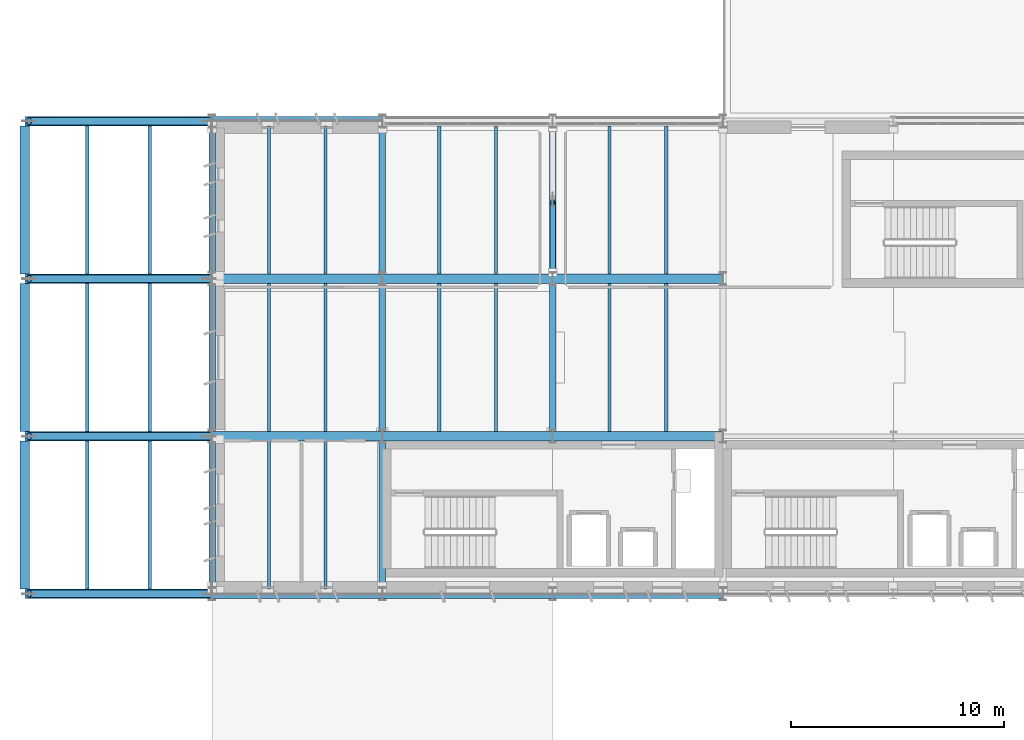
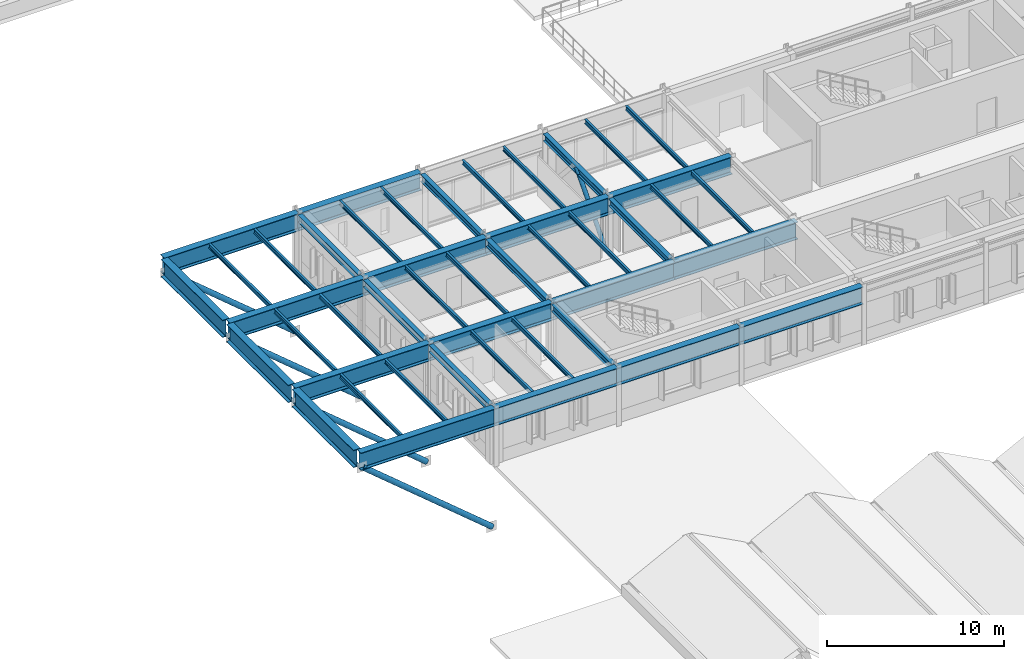
# One storey, part 16 of 63: 45 beams, 5 members.
"""IFC4 building model written with IfcOpenShell, lengths in metres."""

from ifc_helpers import new_model, si_unit, direction, frame, origin, origin_2d, place, context, subcontext, project, spatial, hollow_circle, i_section, extrude, material, material_profile, profile_set, type_object, element, save


model = new_model("IFC4")

# Units and contexts
model_context = context("Model", 3, precision=1e-05, world=origin(), true_north=direction((0.0, 1.0)))
body_context = subcontext(model_context, "Body", "Model", "MODEL_VIEW")
ifc_project = project(units=[si_unit("LENGTHUNIT", "METRE"), si_unit("AREAUNIT", "SQUARE_METRE"), si_unit("VOLUMEUNIT", "CUBIC_METRE"), si_unit("PLANEANGLEUNIT", "RADIAN"), si_unit("MASSUNIT", "GRAM", prefix="KILO")], contexts=[model_context])

# Site, building, storey
site_placement = place(None, origin())
site = spatial("IfcSite", under=ifc_project, at=site_placement, CompositionType="ELEMENT")
building_placement = place(site_placement, origin())
building = spatial("IfcBuilding", under=site, at=building_placement, Name="Valkorina Park Police Headquarters", CompositionType="ELEMENT")
storey_placement = place(building_placement, frame((0.0, 0.0, 9.89990234375)))
storey = spatial("IfcBuildingStorey", under=building, at=storey_placement, Name="L03", CompositionType="ELEMENT", Elevation=9.89990234375)

# Beams
ifc_material = material(Name="Steel S355", Category="steel")
ifc_material_profile_1 = material_profile(ifc_material, i_section(OverallWidth=0.300048828125, OverallDepth=0.489990234375, WebThickness=0.011962890625, FlangeThickness=0.02294921875, FilletRadius=0.027099609375, at=origin_2d()), Name="HEA 500")
ifc_profile_set_1 = profile_set([ifc_material_profile_1], Name="Steel S355")
beam_type_1 = type_object("IfcBeamType", Name="BM-S355-HEA500-BM", PredefinedType="BEAM", material=ifc_profile_set_1)
for number, where, z_axis, x_axis, name in (
    (1, (8.800048828125, 37.300048828125, 3.710205078125), (0.0, 1.0, 0.0), (-1.0, 0.0, 0.0), "L03 Framing Beam 1965"),
    (2, (8.800048828125, 44.699951171875, 3.710205078125), (0.0, 1.0, 0.0), (-1.0, 0.0, 0.0), "L03 Framing Beam 1968"),
):
    element("IfcBeam", number, at=place(storey_placement, frame(where, z_axis=z_axis, x_axis=x_axis)), inside=storey, type_object=beam_type_1, Name=name, PredefinedType="BEAM", context=body_context, shape_type="SweptSolid", body=[
        extrude(i_section(OverallWidth=0.300048828125, OverallDepth=0.489990234375, WebThickness=0.011962890625, FlangeThickness=0.02294921875, FilletRadius=0.027099609375, at=origin_2d()), origin(), (0.0, 0.0, 1.0), 6.800048828125),
    ])
beam_1_placement = place(storey_placement, frame((8.800048828125, 52.10009765625, 3.710205078125), z_axis=(0.0, 1.0, 0.0), x_axis=(-1.0, 0.0, 0.0)))
element("IfcBeam", 3, at=beam_1_placement, inside=storey, type_object=beam_type_1, Name="L03 Framing Beam 1971", PredefinedType="BEAM", context=body_context, shape_type="SweptSolid", body=[
    extrude(i_section(OverallWidth=0.300048828125, OverallDepth=0.489990234375, WebThickness=0.011962890625, FlangeThickness=0.02294921875, FilletRadius=0.027099609375, at=origin_2d()), origin(), (0.0, 0.0, 1.0), 6.7998046875),
])
for number, where, z_axis, x_axis, name in (
    (4, (16.800048828125, 37.300048828125, 3.710205078125), (0.0, 1.0, 0.0), (-1.0, 0.0, 0.0), "L03 Framing Beam 1974"),
    (5, (16.800048828125, 44.699951171875, 3.710205078125), (0.0, 1.0, 0.0), (-1.0, 0.0, 0.0), "L03 Framing Beam 1975"),
):
    element("IfcBeam", number, at=place(storey_placement, frame(where, z_axis=z_axis, x_axis=x_axis)), inside=storey, type_object=beam_type_1, Name=name, PredefinedType="BEAM", context=body_context, shape_type="SweptSolid", body=[
        extrude(i_section(OverallWidth=0.300048828125, OverallDepth=0.489990234375, WebThickness=0.011962890625, FlangeThickness=0.02294921875, FilletRadius=0.027099609375, at=origin_2d()), origin(), (0.0, 0.0, 1.0), 6.800048828125),
    ])
beam_2_placement = place(storey_placement, frame((16.800048828125, 52.10009765625, 3.710205078125), z_axis=(0.0, 1.0, 0.0), x_axis=(-1.0, 0.0, 0.0)))
element("IfcBeam", 6, at=beam_2_placement, inside=storey, type_object=beam_type_1, Name="L03 Framing Beam 1978", PredefinedType="BEAM", context=body_context, shape_type="SweptSolid", body=[
    extrude(i_section(OverallWidth=0.300048828125, OverallDepth=0.489990234375, WebThickness=0.011962890625, FlangeThickness=0.02294921875, FilletRadius=0.027099609375, at=origin_2d()), origin(), (0.0, 0.0, 1.0), 6.7998046875),
])
beam_3_placement = place(storey_placement, frame((24.800048828125, 44.699951171875, 3.710205078125), z_axis=(0.0, 1.0, 0.0), x_axis=(-1.0, 0.0, 0.0)))
element("IfcBeam", 7, at=beam_3_placement, inside=storey, type_object=beam_type_1, Name="L03 Framing Beam 1981", PredefinedType="BEAM", context=body_context, shape_type="SweptSolid", body=[
    extrude(i_section(OverallWidth=0.300048828125, OverallDepth=0.489990234375, WebThickness=0.011962890625, FlangeThickness=0.02294921875, FilletRadius=0.027099609375, at=origin_2d()), origin(), (0.0, 0.0, 1.0), 6.800048828125),
])
beam_4_placement = place(storey_placement, frame((24.800048828125, 52.10009765625, 3.710205078125), z_axis=(0.0, 1.0, 0.0), x_axis=(-1.0, 0.0, 0.0)))
element("IfcBeam", 8, at=beam_4_placement, inside=storey, type_object=beam_type_1, Name="L03 Framing Beam 1984", PredefinedType="BEAM", context=body_context, shape_type="SweptSolid", body=[
    extrude(i_section(OverallWidth=0.300048828125, OverallDepth=0.489990234375, WebThickness=0.011962890625, FlangeThickness=0.02294921875, FilletRadius=0.027099609375, at=origin_2d()), origin(), (0.0, 0.0, 1.0), 6.7998046875),
])
ifc_material_profile_2 = material_profile(ifc_material, i_section(OverallWidth=0.14990234375, OverallDepth=0.300048828125, WebThickness=0.007080078125, FlangeThickness=0.0107421875, FilletRadius=0.014892578125, at=origin_2d()), Name="IPE 300")
ifc_profile_set_2 = profile_set([ifc_material_profile_2], Name="Steel S355")
beam_type_2 = type_object("IfcBeamType", Name="BM-S355-IPE300-JST", PredefinedType="JOIST", material=ifc_profile_set_2)
for number, where, z_axis, x_axis, name in (
    (9, (2.933349609375, 37.22509765625, 3.80517578125), (0.0, 1.0, 0.0), (-1.0, 0.0, 0.0), "L03 Framing Beam 1957"),
    (10, (5.86669921875, 37.22509765625, 3.80517578125), (0.0, 1.0, 0.0), (-1.0, 0.0, 0.0), "L03 Framing Beam 1958"),
    (11, (2.933349609375, 44.625, 3.80517578125), (0.0, 1.0, 0.0), (-1.0, 0.0, 0.0), "L03 Framing Beam 1960"),
    (12, (5.86669921875, 44.625, 3.80517578125), (0.0, 1.0, 0.0), (-1.0, 0.0, 0.0), "L03 Framing Beam 1961"),
):
    element("IfcBeam", number, at=place(storey_placement, frame(where, z_axis=z_axis, x_axis=x_axis)), inside=storey, type_object=beam_type_2, Name=name, PredefinedType="JOIST", context=body_context, shape_type="SweptSolid", body=[
        extrude(i_section(OverallWidth=0.14990234375, OverallDepth=0.300048828125, WebThickness=0.007080078125, FlangeThickness=0.0107421875, FilletRadius=0.014892578125, at=origin_2d()), origin(), (0.0, 0.0, 1.0), 6.949951171875),
    ])
for number, where, z_axis, x_axis, name in (
    (13, (2.933349609375, 52.02490234375, 3.80517578125), (0.0, 1.0, 0.0), (-1.0, 0.0, 0.0), "L03 Framing Beam 1963"),
    (14, (5.86669921875, 52.02490234375, 3.80517578125), (0.0, 1.0, 0.0), (-1.0, 0.0, 0.0), "L03 Framing Beam 1964"),
):
    element("IfcBeam", number, at=place(storey_placement, frame(where, z_axis=z_axis, x_axis=x_axis)), inside=storey, type_object=beam_type_2, Name=name, PredefinedType="JOIST", context=body_context, shape_type="SweptSolid", body=[
        extrude(i_section(OverallWidth=0.14990234375, OverallDepth=0.300048828125, WebThickness=0.007080078125, FlangeThickness=0.0107421875, FilletRadius=0.014892578125, at=origin_2d()), origin(), (0.0, 0.0, 1.0), 6.9501953125),
    ])
for number, where, z_axis, x_axis, name in (
    (15, (11.466796875, 37.22509765625, 3.80517578125), (0.0, 1.0, 0.0), (-1.0, 0.0, 0.0), "L03 Framing Beam 1966"),
    (16, (14.13330078125, 37.22509765625, 3.80517578125), (0.0, 1.0, 0.0), (-1.0, 0.0, 0.0), "L03 Framing Beam 1967"),
    (17, (11.466796875, 44.625, 3.80517578125), (0.0, 1.0, 0.0), (-1.0, 0.0, 0.0), "L03 Framing Beam 1969"),
    (18, (14.13330078125, 44.625, 3.80517578125), (0.0, 1.0, 0.0), (-1.0, 0.0, 0.0), "L03 Framing Beam 1970"),
):
    element("IfcBeam", number, at=place(storey_placement, frame(where, z_axis=z_axis, x_axis=x_axis)), inside=storey, type_object=beam_type_2, Name=name, PredefinedType="JOIST", context=body_context, shape_type="SweptSolid", body=[
        extrude(i_section(OverallWidth=0.14990234375, OverallDepth=0.300048828125, WebThickness=0.007080078125, FlangeThickness=0.0107421875, FilletRadius=0.014892578125, at=origin_2d()), origin(), (0.0, 0.0, 1.0), 6.949951171875),
    ])
for number, where, z_axis, x_axis, name in (
    (19, (11.466796875, 52.02490234375, 3.80517578125), (0.0, 1.0, 0.0), (-1.0, 0.0, 0.0), "L03 Framing Beam 1972"),
    (20, (14.13330078125, 52.02490234375, 3.80517578125), (0.0, 1.0, 0.0), (-1.0, 0.0, 0.0), "L03 Framing Beam 1973"),
):
    element("IfcBeam", number, at=place(storey_placement, frame(where, z_axis=z_axis, x_axis=x_axis)), inside=storey, type_object=beam_type_2, Name=name, PredefinedType="JOIST", context=body_context, shape_type="SweptSolid", body=[
        extrude(i_section(OverallWidth=0.14990234375, OverallDepth=0.300048828125, WebThickness=0.007080078125, FlangeThickness=0.0107421875, FilletRadius=0.014892578125, at=origin_2d()), origin(), (0.0, 0.0, 1.0), 6.9501953125),
    ])
for number, where, z_axis, x_axis, name in (
    (21, (19.466796875, 44.625, 3.80517578125), (0.0, 1.0, 0.0), (-1.0, 0.0, 0.0), "L03 Framing Beam 1976"),
    (22, (22.13330078125, 44.625, 3.80517578125), (0.0, 1.0, 0.0), (-1.0, 0.0, 0.0), "L03 Framing Beam 1977"),
):
    element("IfcBeam", number, at=place(storey_placement, frame(where, z_axis=z_axis, x_axis=x_axis)), inside=storey, type_object=beam_type_2, Name=name, PredefinedType="JOIST", context=body_context, shape_type="SweptSolid", body=[
        extrude(i_section(OverallWidth=0.14990234375, OverallDepth=0.300048828125, WebThickness=0.007080078125, FlangeThickness=0.0107421875, FilletRadius=0.014892578125, at=origin_2d()), origin(), (0.0, 0.0, 1.0), 6.949951171875),
    ])
for number, where, z_axis, x_axis, name in (
    (23, (19.466796875, 52.02490234375, 3.80517578125), (0.0, 1.0, 0.0), (-1.0, 0.0, 0.0), "L03 Framing Beam 1979"),
    (24, (22.13330078125, 52.02490234375, 3.80517578125), (0.0, 1.0, 0.0), (-1.0, 0.0, 0.0), "L03 Framing Beam 1980"),
):
    element("IfcBeam", number, at=place(storey_placement, frame(where, z_axis=z_axis, x_axis=x_axis)), inside=storey, type_object=beam_type_2, Name=name, PredefinedType="JOIST", context=body_context, shape_type="SweptSolid", body=[
        extrude(i_section(OverallWidth=0.14990234375, OverallDepth=0.300048828125, WebThickness=0.007080078125, FlangeThickness=0.0107421875, FilletRadius=0.014892578125, at=origin_2d()), origin(), (0.0, 0.0, 1.0), 6.9501953125),
    ])
for number, where, z_axis, x_axis, name in (
    (25, (27.466796875, 44.625, 3.80517578125), (0.0, 1.0, 0.0), (-1.0, 0.0, 0.0), "L03 Framing Beam 1982"),
    (26, (30.13330078125, 44.625, 3.80517578125), (0.0, 1.0, 0.0), (-1.0, 0.0, 0.0), "L03 Framing Beam 1983"),
):
    element("IfcBeam", number, at=place(storey_placement, frame(where, z_axis=z_axis, x_axis=x_axis)), inside=storey, type_object=beam_type_2, Name=name, PredefinedType="JOIST", context=body_context, shape_type="SweptSolid", body=[
        extrude(i_section(OverallWidth=0.14990234375, OverallDepth=0.300048828125, WebThickness=0.007080078125, FlangeThickness=0.0107421875, FilletRadius=0.014892578125, at=origin_2d()), origin(), (0.0, 0.0, 1.0), 6.949951171875),
    ])
for number, where, z_axis, x_axis, name in (
    (27, (27.466796875, 52.02490234375, 3.80517578125), (0.0, 1.0, 0.0), (-1.0, 0.0, 0.0), "L03 Framing Beam 1985"),
    (28, (30.13330078125, 52.02490234375, 3.80517578125), (0.0, 1.0, 0.0), (-1.0, 0.0, 0.0), "L03 Framing Beam 1986"),
):
    element("IfcBeam", number, at=place(storey_placement, frame(where, z_axis=z_axis, x_axis=x_axis)), inside=storey, type_object=beam_type_2, Name=name, PredefinedType="JOIST", context=body_context, shape_type="SweptSolid", body=[
        extrude(i_section(OverallWidth=0.14990234375, OverallDepth=0.300048828125, WebThickness=0.007080078125, FlangeThickness=0.0107421875, FilletRadius=0.014892578125, at=origin_2d()), origin(), (0.0, 0.0, 1.0), 6.9501953125),
    ])
ifc_material_profile_3 = material_profile(ifc_material, i_section(OverallWidth=0.449951171875, OverallDepth=1.199951171875, WebThickness=0.02001953125, FlangeThickness=0.034912109375, FilletRadius=0.02001953125, at=origin_2d()), Name="PG 1200x450")
ifc_profile_set_3 = profile_set([ifc_material_profile_3], Name="Steel S355")
beam_type_3 = type_object("IfcBeamType", Name="BM-S355-PG1200-EXT", PredefinedType="SPANDREL", material=ifc_profile_set_3)
beam_5_placement = place(storey_placement, frame((0.0, 37.0, 3.35498046875), z_axis=(1.0, 0.0, 0.0), x_axis=(0.0, 1.0, 0.0)))
element("IfcBeam", 29, at=beam_5_placement, inside=storey, type_object=beam_type_3, Name="L03 Framing Beam 1852", PredefinedType="SPANDREL", context=body_context, shape_type="SweptSolid", body=[
    extrude(i_section(OverallWidth=0.449951171875, OverallDepth=1.199951171875, WebThickness=0.02001953125, FlangeThickness=0.034912109375, FilletRadius=0.02001953125, at=origin_2d()), origin(), (0.0, 0.0, 1.0), 8.792236328125),
])
for number, where, z_axis, x_axis, name in (
    (30, (8.8076171875, 37.0, 3.35498046875), (1.0, 0.0, 0.0), (0.0, 1.0, 0.0), "L03 Framing Beam 1853"),
    (31, (16.8076171875, 37.0, 3.35498046875), (1.0, 0.0, 0.0), (0.0, 1.0, 0.0), "L03 Framing Beam 1854"),
    (32, (24.8076171875, 37.0, 3.35498046875), (1.0, 0.0, 0.0), (0.0, 1.0, 0.0), "L03 Framing Beam 1855"),
):
    element("IfcBeam", number, at=place(storey_placement, frame(where, z_axis=z_axis, x_axis=x_axis)), inside=storey, type_object=beam_type_3, Name=name, PredefinedType="SPANDREL", context=body_context, shape_type="SweptSolid", body=[
        extrude(i_section(OverallWidth=0.449951171875, OverallDepth=1.199951171875, WebThickness=0.02001953125, FlangeThickness=0.034912109375, FilletRadius=0.02001953125, at=origin_2d()), origin(), (0.0, 0.0, 1.0), 7.984619140625),
    ])
beam_6_placement = place(storey_placement, frame((0.0, 59.199951171875, 3.35498046875), z_axis=(1.0, 0.0, 0.0), x_axis=(0.0, 1.0, 0.0)))
element("IfcBeam", 33, at=beam_6_placement, inside=storey, type_object=beam_type_3, Name="L03 Framing Beam 1897", PredefinedType="SPANDREL", context=body_context, shape_type="SweptSolid", body=[
    extrude(i_section(OverallWidth=0.449951171875, OverallDepth=1.199951171875, WebThickness=0.02001953125, FlangeThickness=0.034912109375, FilletRadius=0.02001953125, at=origin_2d()), origin(), (0.0, 0.0, 1.0), 8.792236328125),
])
beam_7_placement = place(storey_placement, frame((8.8076171875, 59.199951171875, 3.35498046875), z_axis=(1.0, 0.0, 0.0), x_axis=(0.0, 1.0, 0.0)))
element("IfcBeam", 34, at=beam_7_placement, inside=storey, type_object=beam_type_3, Name="L03 Framing Beam 1898", PredefinedType="SPANDREL", context=body_context, shape_type="SweptSolid", body=[
    extrude(i_section(OverallWidth=0.449951171875, OverallDepth=1.199951171875, WebThickness=0.02001953125, FlangeThickness=0.034912109375, FilletRadius=0.02001953125, at=origin_2d()), origin(), (0.0, 0.0, 1.0), 7.984619140625),
])
for number, where, z_axis, x_axis, name in (
    (35, (0.0, 37.22509765625, 3.35498046875), (0.0, 1.0, 0.0), (-1.0, 0.0, 0.0), "L03 Framing Beam 1956"),
    (36, (0.0, 44.625, 3.35498046875), (0.0, 1.0, 0.0), (-1.0, 0.0, 0.0), "L03 Framing Beam 1959"),
):
    element("IfcBeam", number, at=place(storey_placement, frame(where, z_axis=z_axis, x_axis=x_axis)), inside=storey, type_object=beam_type_3, Name=name, PredefinedType="SPANDREL", context=body_context, shape_type="SweptSolid", body=[
        extrude(i_section(OverallWidth=0.449951171875, OverallDepth=1.199951171875, WebThickness=0.02001953125, FlangeThickness=0.034912109375, FilletRadius=0.02001953125, at=origin_2d()), origin(), (0.0, 0.0, 1.0), 6.949951171875),
    ])
beam_8_placement = place(storey_placement, frame((0.0, 52.02490234375, 3.35498046875), z_axis=(0.0, 1.0, 0.0), x_axis=(-1.0, 0.0, 0.0)))
element("IfcBeam", 37, at=beam_8_placement, inside=storey, type_object=beam_type_3, Name="L03 Framing Beam 1962", PredefinedType="SPANDREL", context=body_context, shape_type="SweptSolid", body=[
    extrude(i_section(OverallWidth=0.449951171875, OverallDepth=1.199951171875, WebThickness=0.02001953125, FlangeThickness=0.034912109375, FilletRadius=0.02001953125, at=origin_2d()), origin(), (0.0, 0.0, 1.0), 6.9501953125),
])
ifc_material_profile_4 = material_profile(ifc_material, i_section(OverallWidth=0.449951171875, OverallDepth=1.199951171875, WebThickness=0.02001953125, FlangeThickness=0.034912109375, FilletRadius=0.02001953125, at=origin_2d()), Name="PG 1200x450")
ifc_profile_set_4 = profile_set([ifc_material_profile_4], Name="Steel S355")
beam_type_4 = type_object("IfcBeamType", Name="BM-S355-PG1200-XFER", PredefinedType="BEAM", material=ifc_profile_set_4)
beam_9_placement = place(storey_placement, frame((0.0, 44.39990234375, 3.35498046875), z_axis=(1.0, 0.0, 0.0), x_axis=(0.0, 1.0, 0.0)))
element("IfcBeam", 38, at=beam_9_placement, inside=storey, type_object=beam_type_4, Name="L03 Framing Beam 1870", PredefinedType="BEAM", context=body_context, shape_type="SweptSolid", body=[
    extrude(i_section(OverallWidth=0.449951171875, OverallDepth=1.199951171875, WebThickness=0.02001953125, FlangeThickness=0.034912109375, FilletRadius=0.02001953125, at=origin_2d()), origin(), (0.0, 0.0, 1.0), 8.792236328125),
])
for number, where, z_axis, x_axis, name in (
    (39, (8.8076171875, 44.39990234375, 3.35498046875), (1.0, 0.0, 0.0), (0.0, 1.0, 0.0), "L03 Framing Beam 1871"),
    (40, (16.8076171875, 44.39990234375, 3.35498046875), (1.0, 0.0, 0.0), (0.0, 1.0, 0.0), "L03 Framing Beam 1872"),
    (41, (24.8076171875, 44.39990234375, 3.35498046875), (1.0, 0.0, 0.0), (0.0, 1.0, 0.0), "L03 Framing Beam 1873"),
):
    element("IfcBeam", number, at=place(storey_placement, frame(where, z_axis=z_axis, x_axis=x_axis)), inside=storey, type_object=beam_type_4, Name=name, PredefinedType="BEAM", context=body_context, shape_type="SweptSolid", body=[
        extrude(i_section(OverallWidth=0.449951171875, OverallDepth=1.199951171875, WebThickness=0.02001953125, FlangeThickness=0.034912109375, FilletRadius=0.02001953125, at=origin_2d()), origin(), (0.0, 0.0, 1.0), 7.984619140625),
    ])
beam_10_placement = place(storey_placement, frame((0.0, 51.800048828125, 3.35498046875), z_axis=(1.0, 0.0, 0.0), x_axis=(0.0, 1.0, 0.0)))
element("IfcBeam", 42, at=beam_10_placement, inside=storey, type_object=beam_type_4, Name="L03 Framing Beam 1885", PredefinedType="BEAM", context=body_context, shape_type="SweptSolid", body=[
    extrude(i_section(OverallWidth=0.449951171875, OverallDepth=1.199951171875, WebThickness=0.02001953125, FlangeThickness=0.034912109375, FilletRadius=0.02001953125, at=origin_2d()), origin(), (0.0, 0.0, 1.0), 8.792236328125),
])
for number, where, z_axis, x_axis, name in (
    (43, (8.8076171875, 51.800048828125, 3.35498046875), (1.0, 0.0, 0.0), (0.0, 1.0, 0.0), "L03 Framing Beam 1886"),
    (44, (16.8076171875, 51.800048828125, 3.35498046875), (1.0, 0.0, 0.0), (0.0, 1.0, 0.0), "L03 Framing Beam 1887"),
    (45, (24.8076171875, 51.800048828125, 3.35498046875), (1.0, 0.0, 0.0), (0.0, 1.0, 0.0), "L03 Framing Beam 1888"),
):
    element("IfcBeam", number, at=place(storey_placement, frame(where, z_axis=z_axis, x_axis=x_axis)), inside=storey, type_object=beam_type_4, Name=name, PredefinedType="BEAM", context=body_context, shape_type="SweptSolid", body=[
        extrude(i_section(OverallWidth=0.449951171875, OverallDepth=1.199951171875, WebThickness=0.02001953125, FlangeThickness=0.034912109375, FilletRadius=0.02001953125, at=origin_2d()), origin(), (0.0, 0.0, 1.0), 7.984619140625),
    ])

# Members
ifc_material_profile_5 = material_profile(ifc_material, hollow_circle(Radius=0.136474609375, WallThickness=0.012451171875, at=origin_2d()), Name="CHS 273x12.5")
ifc_profile_set_5 = profile_set([ifc_material_profile_5], Name="Steel S355")
member_type_1 = type_object("IfcMemberType", Name="MB-S355-CHS273-BRC", PredefinedType="BRACE", material=ifc_profile_set_5)
member_placement = place(storey_placement, frame((24.800048828125, 52.10009765625, 0.10009765625), z_axis=(0.0, 0.667374056113, 0.74472267941), x_axis=(-1.0, 0.0, 0.0)))
element("IfcMember", 46, at=member_placement, inside=storey, type_object=member_type_1, Name="L03 Concentric Chevron Brace 007", PredefinedType="BRACE", context=body_context, shape_type="SweptSolid", body=[
    extrude(hollow_circle(Radius=0.136474609375, WallThickness=0.012451171875, at=origin_2d()), origin(), (0.0, 0.0, 1.0), 4.91455078125),
])
ifc_material_profile_6 = material_profile(ifc_material, hollow_circle(Radius=0.177734375, WallThickness=0.01611328125, at=origin_2d()), Name="CHS 355.6x16")
ifc_profile_set_6 = profile_set([ifc_material_profile_6], Name="Steel S355")
member_type_2 = type_object("IfcMemberType", Name="MB-S355-CHS355-BRC", PredefinedType="BRACE", material=ifc_profile_set_6)
for number, where, z_axis, x_axis, name in (
    (47, (8.64990234375, 37.0, -4.25), (-0.766950158851, 0.0, 0.641706672739), (0.0, -1.0, 0.0), "West Forecourt Cantilever Raking Strut 1"),
    (48, (8.64990234375, 44.39990234375, -4.25), (-0.766950158851, 0.0, 0.641706672739), (0.0, -1.0, 0.0), "West Forecourt Cantilever Raking Strut 2"),
    (49, (8.64990234375, 51.800048828125, -4.25), (-0.766950158851, 0.0, 0.641706672739), (0.0, -1.0, 0.0), "West Forecourt Cantilever Raking Strut 3"),
    (50, (8.64990234375, 59.199951171875, -4.25), (-0.766950158851, 0.0, 0.641706672739), (0.0, -1.0, 0.0), "West Forecourt Cantilever Raking Strut 4"),
):
    element("IfcMember", number, at=place(storey_placement, frame(where, z_axis=z_axis, x_axis=x_axis)), inside=storey, type_object=member_type_2, Name=name, PredefinedType="BRACE", context=body_context, shape_type="SweptSolid", body=[
        extrude(hollow_circle(Radius=0.177734375, WallThickness=0.01611328125, at=origin_2d()), origin(), (0.0, 0.0, 1.0), 11.017578125),
    ])

save(model, "model.ifc")
